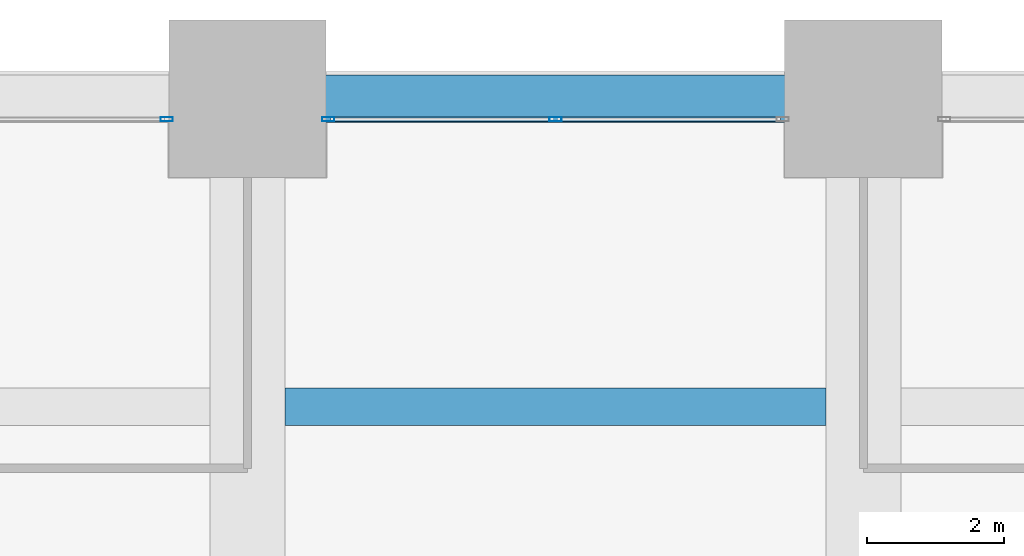
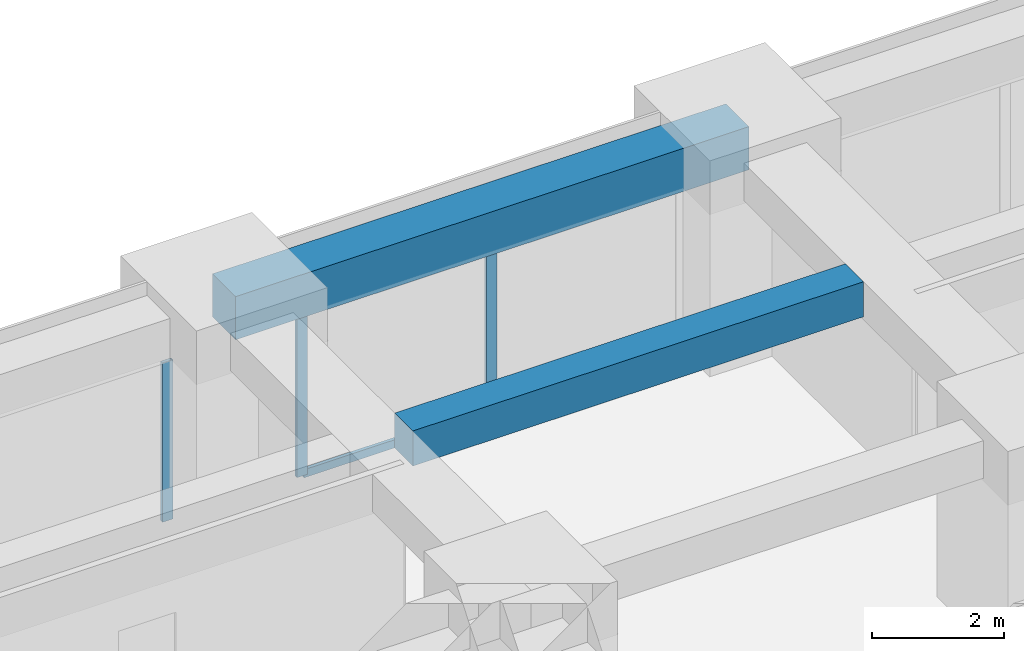
# One storey, part 30 of 44: 4 members, 2 beams, 2 elements without a shape of their own.
"""IFC4 building model written with IfcOpenShell, lengths in metres."""

from ifc_helpers import new_model, si_unit, direction, frame, origin, origin_2d, place, context, subcontext, project, spatial, rectangle, hollow_rectangle, extrude, material, material_profile, profile_set, type_object, element, aggregate, save


model = new_model("IFC4")

# Units and contexts
model_context = context("Model", 3, precision=1e-05, world=origin(), true_north=direction((0.0, 1.0)))
body_context = subcontext(model_context, "Body", "Model", "MODEL_VIEW")
ifc_project = project(units=[si_unit("LENGTHUNIT", "METRE"), si_unit("AREAUNIT", "SQUARE_METRE"), si_unit("VOLUMEUNIT", "CUBIC_METRE"), si_unit("PLANEANGLEUNIT", "RADIAN"), si_unit("MASSUNIT", "GRAM", prefix="KILO")], contexts=[model_context])

# Site, building, storey
site_placement = place(None, origin())
site = spatial("IfcSite", under=ifc_project, at=site_placement, CompositionType="ELEMENT")
building_placement = place(site_placement, origin())
building = spatial("IfcBuilding", under=site, at=building_placement, Name="Zorevar Civic Tower", CompositionType="ELEMENT")
storey_placement = place(building_placement, frame((0.0, 0.0, 55.800048828125)))
storey = spatial("IfcBuildingStorey", under=building, at=storey_placement, Name="L13", CompositionType="ELEMENT", Elevation=55.800048828125)

# Beam
ifc_material_1 = material(Name="Concrete C50/60", Category="concrete")
ifc_material_profile_1 = material_profile(ifc_material_1, rectangle(XDim=0.550048828125, YDim=0.64990234375, at=origin_2d()), Name="RC 550x650")
ifc_profile_set_1 = profile_set([ifc_material_profile_1], Name="Concrete C50/60")
beam_type_1 = type_object("IfcBeamType", Name="Beam RC 550x650", PredefinedType="BEAM", material=ifc_profile_set_1)
beam_1_placement = place(storey_placement, frame((27.550048828125, 49.5, 3.425048828125), z_axis=(1.0, 0.0, 0.0), x_axis=(0.0, 1.0, 0.0)))
element("IfcBeam", 1, at=beam_1_placement, inside=storey, type_object=beam_type_1, Name="Secondary beam L14", PredefinedType="BEAM", context=body_context, shape_type="SweptSolid", body=[
    extrude(rectangle(XDim=0.550048828125, YDim=0.64990234375, at=origin_2d()), origin(), (0.0, 0.0, 1.0), 7.89990234375),
])

# Curtain wall, member
ifc_material_2 = material(Name="Dark grey solar-control glass in black aluminium frame", Category="aluminium")
curtain_wall_type = type_object("IfcCurtainWallType", Name="Curtain wall CW2 low zone", PredefinedType="NOTDEFINED", material=ifc_material_2)
curtain_wall_1_placement = place(storey_placement, origin())
curtain_wall_1 = element("IfcCurtainWall", 2, at=curtain_wall_1_placement, inside=storey, type_object=curtain_wall_type, Name="CW2 L13", PredefinedType="NOTDEFINED")
ifc_material_3 = material(Name="Aluminium, black anodised", Category="aluminium")
ifc_material_profile_2 = material_profile(ifc_material_3, hollow_rectangle(XDim=0.06005859375, YDim=0.179931640625, WallThickness=0.00390625, at=origin_2d()), Name="AL 180x60x4")
ifc_profile_set_2 = profile_set([ifc_material_profile_2], Name="Aluminium, black anodised")
member_type_1 = type_object("IfcMemberType", Name="CW2 mullion AL 180x60x4", PredefinedType="MULLION", material=ifc_profile_set_2)
member_1_placement = place(storey_placement, frame((25.820068359375, 53.699951171875, 0.0), z_axis=(0.0, 0.0, 1.0), x_axis=(0.0, 1.0, 0.0)))
member_1 = element("IfcMember", 3, at=member_1_placement, type_object=member_type_1, Name="CW2 mullion 3", PredefinedType="MULLION", context=body_context, shape_type="SweptSolid", body=[
    extrude(hollow_rectangle(XDim=0.06005859375, YDim=0.179931640625, WallThickness=0.00390625, at=origin_2d()), origin(), (0.0, 0.0, 1.0), 2.949951171875),
])
aggregate(curtain_wall_1, [member_1])

# Curtain wall, members
curtain_wall_2_placement = place(storey_placement, origin())
curtain_wall_2 = element("IfcCurtainWall", 4, at=curtain_wall_2_placement, inside=storey, type_object=curtain_wall_type, Name="CW2 L13", PredefinedType="NOTDEFINED")
member_2_placement = place(storey_placement, frame((28.179931640625, 53.699951171875, 0.0), z_axis=(0.0, 0.0, 1.0), x_axis=(0.0, 1.0, 0.0)))
member_2 = element("IfcMember", 5, at=member_2_placement, type_object=member_type_1, Name="CW2 mullion 1", PredefinedType="MULLION", context=body_context, shape_type="SweptSolid", body=[
    extrude(hollow_rectangle(XDim=0.06005859375, YDim=0.179931640625, WallThickness=0.00390625, at=origin_2d()), origin(), (0.0, 0.0, 1.0), 2.949951171875),
])
member_3_placement = place(storey_placement, frame((31.5, 53.699951171875, 0.06005859375), z_axis=(0.0, 0.0, 1.0), x_axis=(0.0, 1.0, 0.0)))
member_3 = element("IfcMember", 6, at=member_3_placement, type_object=member_type_1, Name="CW2 mullion 2", PredefinedType="MULLION", context=body_context, shape_type="SweptSolid", body=[
    extrude(hollow_rectangle(XDim=0.06005859375, YDim=0.179931640625, WallThickness=0.00390625, at=origin_2d()), origin(), (0.0, 0.0, 1.0), 2.889892578125),
])
ifc_material_4 = material(Name="Aluminium, black anodised", Category="aluminium")
ifc_material_profile_3 = material_profile(ifc_material_4, hollow_rectangle(XDim=0.06005859375, YDim=0.14990234375, WallThickness=0.00390625, at=origin_2d()), Name="AL 150x60x4")
ifc_profile_set_3 = profile_set([ifc_material_profile_3], Name="Aluminium, black anodised")
member_type_2 = type_object("IfcMemberType", Name="CW2 transom AL 150x60x4", PredefinedType="USERDEFINED", material=ifc_profile_set_3)
member_4_placement = place(storey_placement, frame((28.2099609375, 53.699951171875, 0.030029296875), z_axis=(1.0, 0.0, 0.0), x_axis=(0.0, 1.0, 0.0)))
member_4 = element("IfcMember", 7, at=member_4_placement, type_object=member_type_2, Name="CW2 sill transom", ObjectType="TRANSOM", PredefinedType="USERDEFINED", context=body_context, shape_type="SweptSolid", body=[
    extrude(hollow_rectangle(XDim=0.06005859375, YDim=0.14990234375, WallThickness=0.00390625, at=origin_2d()), origin(), (0.0, 0.0, 1.0), 6.580078125),
])
aggregate(curtain_wall_2, [member_2, member_3, member_4])

# Beam
ifc_material_5 = material(Name="Concrete C50/60", Category="concrete")
ifc_material_profile_4 = material_profile(ifc_material_5, rectangle(XDim=0.699951171875, YDim=0.800048828125, at=origin_2d()), Name="RC 700x800")
ifc_profile_set_4 = profile_set([ifc_material_profile_4], Name="Concrete C50/60")
beam_type_2 = type_object("IfcBeamType", Name="Edge beam RC 700x800", PredefinedType="SPANDREL", material=ifc_profile_set_4)
beam_2_placement = place(storey_placement, frame((27.0, 54.0, 3.349853515625), z_axis=(1.0, 0.0, 0.0), x_axis=(0.0, 1.0, 0.0)))
element("IfcBeam", 8, at=beam_2_placement, inside=storey, type_object=beam_type_2, Name="Edge beam L14", PredefinedType="SPANDREL", context=body_context, shape_type="SweptSolid", body=[
    extrude(rectangle(XDim=0.699951171875, YDim=0.800048828125, at=origin_2d()), origin(), (0.0, 0.0, 1.0), 9.0),
])

save(model, "model.ifc")
